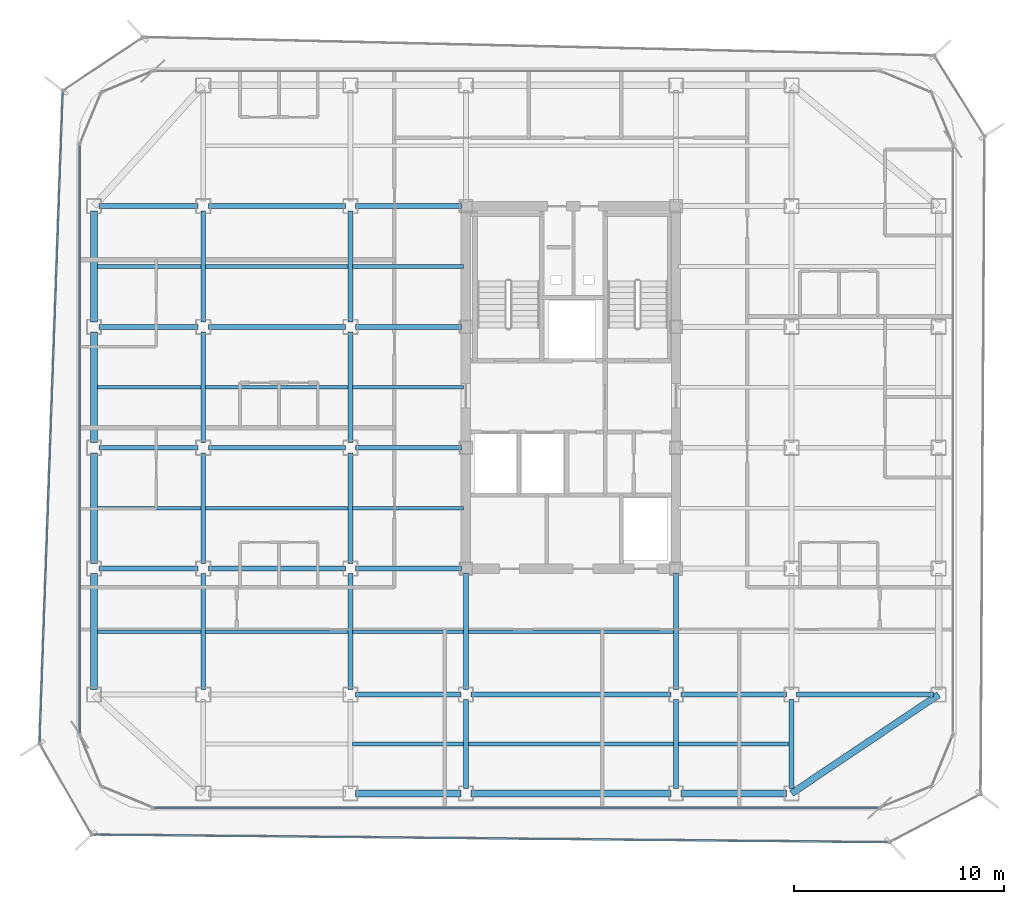
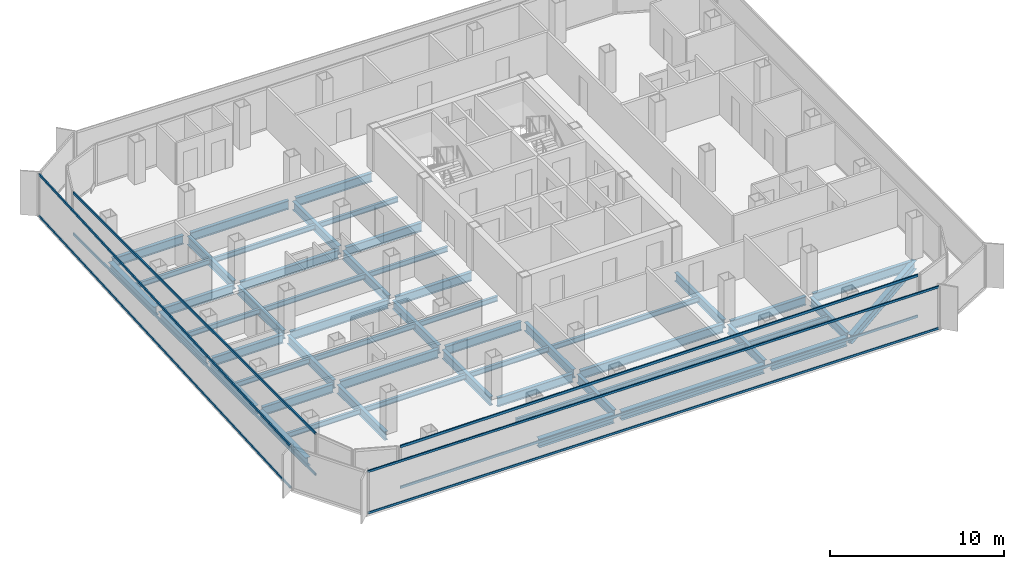
# One storey, part 3 of 15: 53 beams, 8 members, 4 elements without a shape of their own.
"""IFC4 building model written with IfcOpenShell, lengths in metres."""

from ifc_helpers import new_model, si_unit, direction, frame, origin, origin_2d, place, context, subcontext, project, spatial, hollow_rectangle, i_section, extrude, source, transform, mapped, material, layer, layer_set, material_profile, profile_set, type_object, element, aggregate, save


model = new_model("IFC4")

# Units and contexts
model_context = context("Model", 3, precision=1e-05, world=origin(), true_north=direction((0.0, 1.0)))
body_context = subcontext(model_context, "Body", "Model", "MODEL_VIEW")
ifc_project = project(units=[si_unit("LENGTHUNIT", "METRE"), si_unit("AREAUNIT", "SQUARE_METRE"), si_unit("VOLUMEUNIT", "CUBIC_METRE"), si_unit("PLANEANGLEUNIT", "RADIAN"), si_unit("MASSUNIT", "GRAM", prefix="KILO")], contexts=[model_context])

# Site, building, storey
site_placement = place(None, origin())
site = spatial("IfcSite", under=ifc_project, at=site_placement, CompositionType="ELEMENT")
building_placement = place(site_placement, origin())
building = spatial("IfcBuilding", under=site, at=building_placement, Name="Kolveth Station Tower", CompositionType="ELEMENT")
storey_placement = place(building_placement, frame((0.0, 0.0, 196.39990234375)))
storey = spatial("IfcBuildingStorey", under=building, at=storey_placement, Name="L55", CompositionType="ELEMENT", Elevation=196.39990234375)

# Beams
ifc_material_1 = material(Name="Steel S355", Category="steel")
ifc_material_profile_1 = material_profile(ifc_material_1, i_section(OverallWidth=0.323974609375, OverallDepth=0.611083984375, WebThickness=0.0126953125, FlangeThickness=0.01904296875, at=origin_2d()), Name="W610x155")
ifc_profile_set_1 = profile_set([ifc_material_profile_1], Name="Steel S355")
beam_type_1 = type_object("IfcBeamType", Name="Beam_SP2", PredefinedType="SPANDREL", material=ifc_profile_set_1)
shared_shape_1 = source(origin(), body_context, "Body", "SweptSolid", [
    extrude(i_section(OverallWidth=0.323974609375, OverallDepth=0.611083984375, WebThickness=0.0126953125, FlangeThickness=0.01904296875, at=origin_2d()), origin(), (0.0, 0.0, 1.0), 5.02001953125),
])
for number, where, z_axis, x_axis, name in (
    (1, (13.239990234375, 0.800048828125, -0.555419921875), (1.0, 0.0, 0.0), (0.0, 1.0, 0.0), "L55 Perimeter Spandrel BM-L55-PS-2"),
    (2, (28.739990234375, 0.800048828125, -0.555419921875), (1.0, 0.0, 0.0), (0.0, 1.0, 0.0), "L55 Perimeter Spandrel BM-L55-PS-4"),
):
    element("IfcBeam", number, at=place(storey_placement, frame(where, z_axis=z_axis, x_axis=x_axis)), inside=storey, type_object=beam_type_1, Name=name, PredefinedType="SPANDREL", context=body_context, shape_type="MappedRepresentation", body=[
        mapped(shared_shape_1, transform((0.0, 0.0, 0.0), x_axis=(1.0, 0.0, 0.0), y_axis=(0.0, 1.0, 0.0), z_axis=(0.0, 0.0, 1.0), scale=1.0)),
    ])
shared_shape_2 = source(origin(), body_context, "Body", "SweptSolid", [
    extrude(i_section(OverallWidth=0.323974609375, OverallDepth=0.611083984375, WebThickness=0.0126953125, FlangeThickness=0.01904296875, at=origin_2d()), origin(), (0.0, 0.0, 1.0), 9.52001953125),
])
beam_1_placement = place(storey_placement, frame((18.739990234375, 0.800048828125, -0.555419921875), z_axis=(1.0, 0.0, 0.0), x_axis=(0.0, 1.0, 0.0)))
element("IfcBeam", 3, at=beam_1_placement, inside=storey, type_object=beam_type_1, Name="L55 Perimeter Spandrel BM-L55-PS-3", PredefinedType="SPANDREL", context=body_context, shape_type="MappedRepresentation", body=[
    mapped(shared_shape_2, transform((0.0, 0.0, 0.0), x_axis=(1.0, 0.0, 0.0), y_axis=(0.0, 1.0, 0.0), z_axis=(0.0, 0.0, 1.0), scale=1.0)),
])
shared_shape_3 = source(origin(), body_context, "Body", "SweptSolid", [
    extrude(i_section(OverallWidth=0.323974609375, OverallDepth=0.611083984375, WebThickness=0.0126953125, FlangeThickness=0.01904296875, at=origin_2d()), origin(), (0.0, 0.0, 1.0), 5.52001953125),
])
beam_2_placement = place(storey_placement, frame((0.800048828125, 5.739990234375, -0.555419921875), z_axis=(0.0, 1.0, 0.0), x_axis=(-1.0, 0.0, 0.0)))
element("IfcBeam", 4, at=beam_2_placement, inside=storey, type_object=beam_type_1, Name="L55 Perimeter Spandrel BM-L55-PW-1", PredefinedType="SPANDREL", context=body_context, shape_type="MappedRepresentation", body=[
    mapped(shared_shape_3, transform((0.0, 0.0, 0.0), x_axis=(1.0, 0.0, 0.0), y_axis=(0.0, 1.0, 0.0), z_axis=(0.0, 0.0, 1.0), scale=1.0)),
])
shared_shape_4 = source(origin(), body_context, "Body", "SweptSolid", [
    extrude(i_section(OverallWidth=0.323974609375, OverallDepth=0.611083984375, WebThickness=0.0126953125, FlangeThickness=0.01904296875, at=origin_2d()), origin(), (0.0, 0.0, 1.0), 5.27001953125),
])
for number, where, z_axis, x_axis, name in (
    (5, (0.800048828125, 11.739990234375, -0.555419921875), (0.0, 1.0, 0.0), (-1.0, 0.0, 0.0), "L55 Perimeter Spandrel BM-L55-PW-2"),
    (6, (0.800048828125, 17.489990234375, -0.555419921875), (0.0, 1.0, 0.0), (-1.0, 0.0, 0.0), "L55 Perimeter Spandrel BM-L55-PW-3"),
    (7, (0.800048828125, 23.239990234375, -0.555419921875), (0.0, 1.0, 0.0), (-1.0, 0.0, 0.0), "L55 Perimeter Spandrel BM-L55-PW-4"),
):
    element("IfcBeam", number, at=place(storey_placement, frame(where, z_axis=z_axis, x_axis=x_axis)), inside=storey, type_object=beam_type_1, Name=name, PredefinedType="SPANDREL", context=body_context, shape_type="MappedRepresentation", body=[
        mapped(shared_shape_4, transform((0.0, 0.0, 0.0), x_axis=(1.0, 0.0, 0.0), y_axis=(0.0, 1.0, 0.0), z_axis=(0.0, 0.0, 1.0), scale=1.0)),
    ])
shared_shape_5 = source(origin(), body_context, "Body", "SweptSolid", [
    extrude(i_section(OverallWidth=0.323974609375, OverallDepth=0.611083984375, WebThickness=0.0126953125, FlangeThickness=0.01904296875, at=origin_2d()), origin(), (0.0, 0.0, 1.0), 8.431396484375),
])
beam_3_placement = place(storey_placement, frame((34.0, 0.800048828125, -0.555419921875), z_axis=(0.830223811004, 0.557430196206, 0.0), x_axis=(-0.557430196206, 0.830223811004, 0.0)))
element("IfcBeam", 8, at=beam_3_placement, inside=storey, type_object=beam_type_1, Name="L55 Corner Edge Girder BM-L55-CNR-SE", PredefinedType="SPANDREL", context=body_context, shape_type="MappedRepresentation", body=[
    mapped(shared_shape_5, transform((0.0, 0.0, 0.0), x_axis=(1.0, 0.0, 0.0), y_axis=(0.0, 1.0, 0.0), z_axis=(0.0, 0.0, 1.0), scale=1.0)),
])
ifc_material_profile_2 = material_profile(ifc_material_1, i_section(OverallWidth=0.22900390625, OverallDepth=0.612060546875, WebThickness=0.011962890625, FlangeThickness=0.01953125, at=origin_2d()), Name="W610x125")
ifc_profile_set_2 = profile_set([ifc_material_profile_2], Name="Steel S355")
beam_type_2 = type_object("IfcBeamType", Name="Beam_B5", PredefinedType="BEAM", material=ifc_profile_set_2)
shared_shape_6 = source(origin(), body_context, "Body", "SweptSolid", [
    extrude(i_section(OverallWidth=0.22900390625, OverallDepth=0.612060546875, WebThickness=0.011962890625, FlangeThickness=0.01953125, at=origin_2d()), origin(), (0.0, 0.0, 1.0), 4.719970703125),
])
for number, where, z_axis, x_axis, name in (
    (9, (1.0400390625, 11.5, -0.555908203125), (1.0, 0.0, 0.0), (0.0, 1.0, 0.0), "L55 Primary Girder BM-L55-GY115-1"),
    (10, (1.0400390625, 17.25, -0.555908203125), (1.0, 0.0, 0.0), (0.0, 1.0, 0.0), "L55 Primary Girder BM-L55-GY172-1"),
    (11, (1.0400390625, 23.0, -0.555908203125), (1.0, 0.0, 0.0), (0.0, 1.0, 0.0), "L55 Primary Girder BM-L55-GY230-1"),
    (12, (1.0400390625, 28.75, -0.555908203125), (1.0, 0.0, 0.0), (0.0, 1.0, 0.0), "L55 Primary Girder BM-L55-GY287-1"),
):
    element("IfcBeam", number, at=place(storey_placement, frame(where, z_axis=z_axis, x_axis=x_axis)), inside=storey, type_object=beam_type_2, Name=name, PredefinedType="BEAM", context=body_context, shape_type="MappedRepresentation", body=[
        mapped(shared_shape_6, transform((0.0, 0.0, 0.0), x_axis=(1.0, 0.0, 0.0), y_axis=(0.0, 1.0, 0.0), z_axis=(0.0, 0.0, 1.0), scale=1.0)),
    ])
shared_shape_7 = source(origin(), body_context, "Body", "SweptSolid", [
    extrude(i_section(OverallWidth=0.22900390625, OverallDepth=0.612060546875, WebThickness=0.011962890625, FlangeThickness=0.01953125, at=origin_2d()), origin(), (0.0, 0.0, 1.0), 6.52001953125),
])
for number, where, z_axis, x_axis, name in (
    (13, (34.239990234375, 5.5, -0.555908203125), (1.0, 0.0, 0.0), (0.0, 1.0, 0.0), "L55 Primary Girder BM-L55-GY55-6"),
    (14, (6.239990234375, 11.5, -0.555908203125), (1.0, 0.0, 0.0), (0.0, 1.0, 0.0), "L55 Primary Girder BM-L55-GY115-2"),
    (15, (6.239990234375, 17.25, -0.555908203125), (1.0, 0.0, 0.0), (0.0, 1.0, 0.0), "L55 Primary Girder BM-L55-GY172-2"),
    (16, (6.239990234375, 23.0, -0.555908203125), (1.0, 0.0, 0.0), (0.0, 1.0, 0.0), "L55 Primary Girder BM-L55-GY230-2"),
    (17, (6.239990234375, 28.75, -0.555908203125), (1.0, 0.0, 0.0), (0.0, 1.0, 0.0), "L55 Primary Girder BM-L55-GY287-2"),
):
    element("IfcBeam", number, at=place(storey_placement, frame(where, z_axis=z_axis, x_axis=x_axis)), inside=storey, type_object=beam_type_2, Name=name, PredefinedType="BEAM", context=body_context, shape_type="MappedRepresentation", body=[
        mapped(shared_shape_7, transform((0.0, 0.0, 0.0), x_axis=(1.0, 0.0, 0.0), y_axis=(0.0, 1.0, 0.0), z_axis=(0.0, 0.0, 1.0), scale=1.0)),
    ])
shared_shape_8 = source(origin(), body_context, "Body", "SweptSolid", [
    extrude(i_section(OverallWidth=0.22900390625, OverallDepth=0.612060546875, WebThickness=0.011962890625, FlangeThickness=0.01953125, at=origin_2d()), origin(), (0.0, 0.0, 1.0), 5.02001953125),
])
for number, where, z_axis, x_axis, name in (
    (18, (13.239990234375, 5.5, -0.555908203125), (1.0, 0.0, 0.0), (0.0, 1.0, 0.0), "L55 Primary Girder BM-L55-GY55-3"),
    (19, (28.739990234375, 5.5, -0.555908203125), (1.0, 0.0, 0.0), (0.0, 1.0, 0.0), "L55 Primary Girder BM-L55-GY55-5"),
):
    element("IfcBeam", number, at=place(storey_placement, frame(where, z_axis=z_axis, x_axis=x_axis)), inside=storey, type_object=beam_type_2, Name=name, PredefinedType="BEAM", context=body_context, shape_type="MappedRepresentation", body=[
        mapped(shared_shape_8, transform((0.0, 0.0, 0.0), x_axis=(1.0, 0.0, 0.0), y_axis=(0.0, 1.0, 0.0), z_axis=(0.0, 0.0, 1.0), scale=1.0)),
    ])
shared_shape_9 = source(origin(), body_context, "Body", "SweptSolid", [
    extrude(i_section(OverallWidth=0.22900390625, OverallDepth=0.612060546875, WebThickness=0.011962890625, FlangeThickness=0.01953125, at=origin_2d()), origin(), (0.0, 0.0, 1.0), 9.52001953125),
])
beam_4_placement = place(storey_placement, frame((18.739990234375, 5.5, -0.555908203125), z_axis=(1.0, 0.0, 0.0), x_axis=(0.0, 1.0, 0.0)))
element("IfcBeam", 20, at=beam_4_placement, inside=storey, type_object=beam_type_2, Name="L55 Primary Girder BM-L55-GY55-4", PredefinedType="BEAM", context=body_context, shape_type="MappedRepresentation", body=[
    mapped(shared_shape_9, transform((0.0, 0.0, 0.0), x_axis=(1.0, 0.0, 0.0), y_axis=(0.0, 1.0, 0.0), z_axis=(0.0, 0.0, 1.0), scale=1.0)),
])
shared_shape_10 = source(origin(), body_context, "Body", "SweptSolid", [
    extrude(i_section(OverallWidth=0.22900390625, OverallDepth=0.612060546875, WebThickness=0.011962890625, FlangeThickness=0.01953125, at=origin_2d()), origin(), (0.0, 0.0, 1.0), 5.06005859375),
])
for number, where, z_axis, x_axis, name in (
    (21, (13.239990234375, 11.5, -0.555908203125), (1.0, 0.0, 0.0), (0.0, 1.0, 0.0), "L55 Primary Girder BM-L55-GY115-3"),
    (22, (13.239990234375, 17.25, -0.555908203125), (1.0, 0.0, 0.0), (0.0, 1.0, 0.0), "L55 Primary Girder BM-L55-GY172-3"),
    (23, (13.239990234375, 23.0, -0.555908203125), (1.0, 0.0, 0.0), (0.0, 1.0, 0.0), "L55 Primary Girder BM-L55-GY230-3"),
    (24, (13.239990234375, 28.75, -0.555908203125), (1.0, 0.0, 0.0), (0.0, 1.0, 0.0), "L55 Primary Girder BM-L55-GY287-3"),
):
    element("IfcBeam", number, at=place(storey_placement, frame(where, z_axis=z_axis, x_axis=x_axis)), inside=storey, type_object=beam_type_2, Name=name, PredefinedType="BEAM", context=body_context, shape_type="MappedRepresentation", body=[
        mapped(shared_shape_10, transform((0.0, 0.0, 0.0), x_axis=(1.0, 0.0, 0.0), y_axis=(0.0, 1.0, 0.0), z_axis=(0.0, 0.0, 1.0), scale=1.0)),
    ])
shared_shape_11 = source(origin(), body_context, "Body", "SweptSolid", [
    extrude(i_section(OverallWidth=0.22900390625, OverallDepth=0.612060546875, WebThickness=0.011962890625, FlangeThickness=0.01953125, at=origin_2d()), origin(), (0.0, 0.0, 1.0), 4.219970703125),
])
for number, where, z_axis, x_axis, name in (
    (25, (18.5, 1.0400390625, -0.555908203125), (0.0, 1.0, 0.0), (-1.0, 0.0, 0.0), "L55 Primary Girder BM-L55-GX185-1"),
    (26, (28.5, 1.0400390625, -0.555908203125), (0.0, 1.0, 0.0), (-1.0, 0.0, 0.0), "L55 Primary Girder BM-L55-GX285-1"),
    (27, (34.0, 1.0400390625, -0.555908203125), (0.0, 1.0, 0.0), (-1.0, 0.0, 0.0), "L55 Primary Girder BM-L55-GX340-1"),
):
    element("IfcBeam", number, at=place(storey_placement, frame(where, z_axis=z_axis, x_axis=x_axis)), inside=storey, type_object=beam_type_2, Name=name, PredefinedType="BEAM", context=body_context, shape_type="MappedRepresentation", body=[
        mapped(shared_shape_11, transform((0.0, 0.0, 0.0), x_axis=(1.0, 0.0, 0.0), y_axis=(0.0, 1.0, 0.0), z_axis=(0.0, 0.0, 1.0), scale=1.0)),
    ])
shared_shape_12 = source(origin(), body_context, "Body", "SweptSolid", [
    extrude(i_section(OverallWidth=0.22900390625, OverallDepth=0.612060546875, WebThickness=0.011962890625, FlangeThickness=0.01953125, at=origin_2d()), origin(), (0.0, 0.0, 1.0), 5.52001953125),
])
for number, where, z_axis, x_axis, name in (
    (28, (6.0, 5.739990234375, -0.555908203125), (0.0, 1.0, 0.0), (-1.0, 0.0, 0.0), "L55 Primary Girder BM-L55-GX60-2"),
    (29, (13.0, 5.739990234375, -0.555908203125), (0.0, 1.0, 0.0), (-1.0, 0.0, 0.0), "L55 Primary Girder BM-L55-GX130-2"),
):
    element("IfcBeam", number, at=place(storey_placement, frame(where, z_axis=z_axis, x_axis=x_axis)), inside=storey, type_object=beam_type_2, Name=name, PredefinedType="BEAM", context=body_context, shape_type="MappedRepresentation", body=[
        mapped(shared_shape_12, transform((0.0, 0.0, 0.0), x_axis=(1.0, 0.0, 0.0), y_axis=(0.0, 1.0, 0.0), z_axis=(0.0, 0.0, 1.0), scale=1.0)),
    ])
shared_shape_13 = source(origin(), body_context, "Body", "SweptSolid", [
    extrude(i_section(OverallWidth=0.22900390625, OverallDepth=0.612060546875, WebThickness=0.011962890625, FlangeThickness=0.01953125, at=origin_2d()), origin(), (0.0, 0.0, 1.0), 5.27001953125),
])
for number, where, z_axis, x_axis, name in (
    (30, (6.0, 11.739990234375, -0.555908203125), (0.0, 1.0, 0.0), (-1.0, 0.0, 0.0), "L55 Primary Girder BM-L55-GX60-3"),
    (31, (6.0, 17.489990234375, -0.555908203125), (0.0, 1.0, 0.0), (-1.0, 0.0, 0.0), "L55 Primary Girder BM-L55-GX60-4"),
    (32, (6.0, 23.239990234375, -0.555908203125), (0.0, 1.0, 0.0), (-1.0, 0.0, 0.0), "L55 Primary Girder BM-L55-GX60-5"),
    (33, (13.0, 11.739990234375, -0.555908203125), (0.0, 1.0, 0.0), (-1.0, 0.0, 0.0), "L55 Primary Girder BM-L55-GX130-3"),
    (34, (13.0, 17.489990234375, -0.555908203125), (0.0, 1.0, 0.0), (-1.0, 0.0, 0.0), "L55 Primary Girder BM-L55-GX130-4"),
    (35, (13.0, 23.239990234375, -0.555908203125), (0.0, 1.0, 0.0), (-1.0, 0.0, 0.0), "L55 Primary Girder BM-L55-GX130-5"),
):
    element("IfcBeam", number, at=place(storey_placement, frame(where, z_axis=z_axis, x_axis=x_axis)), inside=storey, type_object=beam_type_2, Name=name, PredefinedType="BEAM", context=body_context, shape_type="MappedRepresentation", body=[
        mapped(shared_shape_13, transform((0.0, 0.0, 0.0), x_axis=(1.0, 0.0, 0.0), y_axis=(0.0, 1.0, 0.0), z_axis=(0.0, 0.0, 1.0), scale=1.0)),
    ])
shared_shape_14 = source(origin(), body_context, "Body", "SweptSolid", [
    extrude(i_section(OverallWidth=0.22900390625, OverallDepth=0.612060546875, WebThickness=0.011962890625, FlangeThickness=0.01953125, at=origin_2d()), origin(), (0.0, 0.0, 1.0), 5.56005859375),
])
for number, where, z_axis, x_axis, name in (
    (36, (18.5, 5.739990234375, -0.555908203125), (0.0, 1.0, 0.0), (-1.0, 0.0, 0.0), "L55 Primary Girder BM-L55-GX185-2"),
    (37, (28.5, 5.739990234375, -0.555908203125), (0.0, 1.0, 0.0), (-1.0, 0.0, 0.0), "L55 Primary Girder BM-L55-GX285-2"),
):
    element("IfcBeam", number, at=place(storey_placement, frame(where, z_axis=z_axis, x_axis=x_axis)), inside=storey, type_object=beam_type_2, Name=name, PredefinedType="BEAM", context=body_context, shape_type="MappedRepresentation", body=[
        mapped(shared_shape_14, transform((0.0, 0.0, 0.0), x_axis=(1.0, 0.0, 0.0), y_axis=(0.0, 1.0, 0.0), z_axis=(0.0, 0.0, 1.0), scale=1.0)),
    ])
ifc_material_profile_3 = material_profile(ifc_material_1, i_section(OverallWidth=0.1708984375, OverallDepth=0.35205078125, WebThickness=0.0068359375, FlangeThickness=0.009765625, at=origin_2d()), Name="W360x44")
ifc_profile_set_3 = profile_set([ifc_material_profile_3], Name="Steel S355")
beam_type_3 = type_object("IfcBeamType", Name="Beam_J2", PredefinedType="JOIST", material=ifc_profile_set_3)
shared_shape_15 = source(origin(), body_context, "Body", "SweptSolid", [
    extrude(i_section(OverallWidth=0.1708984375, OverallDepth=0.35205078125, WebThickness=0.0068359375, FlangeThickness=0.009765625, at=origin_2d()), origin(), (0.0, 0.0, 1.0), 4.927490234375),
])
for number, where, z_axis, x_axis, name in (
    (38, (0.9599609375, 8.5, -0.42578125), (1.0, 0.0, 0.0), (0.0, 1.0, 0.0), "L55 Secondary Joist JST-L55-1-2"),
    (39, (0.9599609375, 14.375, -0.42578125), (1.0, 0.0, 0.0), (0.0, 1.0, 0.0), "L55 Secondary Joist JST-L55-1-3"),
    (40, (0.9599609375, 20.125, -0.42578125), (1.0, 0.0, 0.0), (0.0, 1.0, 0.0), "L55 Secondary Joist JST-L55-1-4"),
    (41, (0.9599609375, 25.875, -0.42578125), (1.0, 0.0, 0.0), (0.0, 1.0, 0.0), "L55 Secondary Joist JST-L55-1-5"),
):
    element("IfcBeam", number, at=place(storey_placement, frame(where, z_axis=z_axis, x_axis=x_axis)), inside=storey, type_object=beam_type_3, Name=name, PredefinedType="JOIST", context=body_context, shape_type="MappedRepresentation", body=[
        mapped(shared_shape_15, transform((0.0, 0.0, 0.0), x_axis=(1.0, 0.0, 0.0), y_axis=(0.0, 1.0, 0.0), z_axis=(0.0, 0.0, 1.0), scale=1.0)),
    ])
shared_shape_16 = source(origin(), body_context, "Body", "SweptSolid", [
    extrude(i_section(OverallWidth=0.1708984375, OverallDepth=0.35205078125, WebThickness=0.0068359375, FlangeThickness=0.009765625, at=origin_2d()), origin(), (0.0, 0.0, 1.0), 6.77490234375),
])
for number, where, z_axis, x_axis, name in (
    (42, (6.112548828125, 8.5, -0.42578125), (1.0, 0.0, 0.0), (0.0, 1.0, 0.0), "L55 Secondary Joist JST-L55-2-2"),
    (43, (6.112548828125, 14.375, -0.42578125), (1.0, 0.0, 0.0), (0.0, 1.0, 0.0), "L55 Secondary Joist JST-L55-2-3"),
    (44, (6.112548828125, 20.125, -0.42578125), (1.0, 0.0, 0.0), (0.0, 1.0, 0.0), "L55 Secondary Joist JST-L55-2-4"),
    (45, (6.112548828125, 25.875, -0.42578125), (1.0, 0.0, 0.0), (0.0, 1.0, 0.0), "L55 Secondary Joist JST-L55-2-5"),
):
    element("IfcBeam", number, at=place(storey_placement, frame(where, z_axis=z_axis, x_axis=x_axis)), inside=storey, type_object=beam_type_3, Name=name, PredefinedType="JOIST", context=body_context, shape_type="MappedRepresentation", body=[
        mapped(shared_shape_16, transform((0.0, 0.0, 0.0), x_axis=(1.0, 0.0, 0.0), y_axis=(0.0, 1.0, 0.0), z_axis=(0.0, 0.0, 1.0), scale=1.0)),
    ])
shared_shape_17 = source(origin(), body_context, "Body", "SweptSolid", [
    extrude(i_section(OverallWidth=0.1708984375, OverallDepth=0.35205078125, WebThickness=0.0068359375, FlangeThickness=0.009765625, at=origin_2d()), origin(), (0.0, 0.0, 1.0), 5.27490234375),
])
for number, where, z_axis, x_axis, name in (
    (46, (13.112548828125, 3.14990234375, -0.42578125), (1.0, 0.0, 0.0), (0.0, 1.0, 0.0), "L55 Secondary Joist JST-L55-3-1"),
    (47, (13.112548828125, 8.5, -0.42578125), (1.0, 0.0, 0.0), (0.0, 1.0, 0.0), "L55 Secondary Joist JST-L55-3-2"),
    (48, (13.112548828125, 14.375, -0.42578125), (1.0, 0.0, 0.0), (0.0, 1.0, 0.0), "L55 Secondary Joist JST-L55-3-3"),
    (49, (13.112548828125, 20.125, -0.42578125), (1.0, 0.0, 0.0), (0.0, 1.0, 0.0), "L55 Secondary Joist JST-L55-3-4"),
    (50, (13.112548828125, 25.875, -0.42578125), (1.0, 0.0, 0.0), (0.0, 1.0, 0.0), "L55 Secondary Joist JST-L55-3-5"),
    (51, (28.612548828125, 3.14990234375, -0.42578125), (1.0, 0.0, 0.0), (0.0, 1.0, 0.0), "L55 Secondary Joist JST-L55-5-1"),
):
    element("IfcBeam", number, at=place(storey_placement, frame(where, z_axis=z_axis, x_axis=x_axis)), inside=storey, type_object=beam_type_3, Name=name, PredefinedType="JOIST", context=body_context, shape_type="MappedRepresentation", body=[
        mapped(shared_shape_17, transform((0.0, 0.0, 0.0), x_axis=(1.0, 0.0, 0.0), y_axis=(0.0, 1.0, 0.0), z_axis=(0.0, 0.0, 1.0), scale=1.0)),
    ])
shared_shape_18 = source(origin(), body_context, "Body", "SweptSolid", [
    extrude(i_section(OverallWidth=0.1708984375, OverallDepth=0.35205078125, WebThickness=0.0068359375, FlangeThickness=0.009765625, at=origin_2d()), origin(), (0.0, 0.0, 1.0), 9.77490234375),
])
for number, where, z_axis, x_axis, name in (
    (52, (18.612548828125, 3.14990234375, -0.42578125), (1.0, 0.0, 0.0), (0.0, 1.0, 0.0), "L55 Secondary Joist JST-L55-4-1"),
    (53, (18.612548828125, 8.5, -0.42578125), (1.0, 0.0, 0.0), (0.0, 1.0, 0.0), "L55 Secondary Joist JST-L55-4-2"),
):
    element("IfcBeam", number, at=place(storey_placement, frame(where, z_axis=z_axis, x_axis=x_axis)), inside=storey, type_object=beam_type_3, Name=name, PredefinedType="JOIST", context=body_context, shape_type="MappedRepresentation", body=[
        mapped(shared_shape_18, transform((0.0, 0.0, 0.0), x_axis=(1.0, 0.0, 0.0), y_axis=(0.0, 1.0, 0.0), z_axis=(0.0, 0.0, 1.0), scale=1.0)),
    ])

# Curtain wall, members
ifc_material_2 = material(Name="Aluminium 6063-T6 and low-E dark glass", Category="aluminium")
ifc_layer_1 = layer(ifc_material_2, 0.18994140625)
ifc_layer_set_1 = layer_set([ifc_layer_1], Name="Aluminium 6063-T6 and low-E dark glass")
curtain_wall_type_1 = type_object("IfcCurtainWallType", Name="CurtainWall_CW-Z2", PredefinedType="NOTDEFINED", material=ifc_layer_set_1)
curtain_wall_1_placement = place(storey_placement, origin())
curtain_wall_1 = element("IfcCurtainWall", 54, at=curtain_wall_1_placement, inside=storey, type_object=curtain_wall_type_1, Name="L55 Inner Thermal Curtain Wall 9", PredefinedType="NOTDEFINED")
ifc_material_3 = material(Name="Black anodized aluminium 6063-T6", Category="aluminium")
ifc_material_profile_4 = material_profile(ifc_material_3, hollow_rectangle(XDim=0.080078125, YDim=0.169921875, WallThickness=0.0048828125, at=origin_2d()), Name="ALU-80x170x5")
ifc_profile_set_4 = profile_set([ifc_material_profile_4], Name="Black anodized aluminium 6063-T6")
member_type_1 = type_object("IfcMemberType", Name="Transom_TR2", PredefinedType="USERDEFINED", material=ifc_profile_set_4)
shared_shape_19 = source(origin(), body_context, "Body", "SweptSolid", [
    extrude(hollow_rectangle(XDim=0.080078125, YDim=0.169921875, WallThickness=0.0048828125, at=origin_2d()), origin(), (0.0, 0.0, 1.0), 27.940185546875),
])
member_1_placement = place(storey_placement, frame((0.1201171875, 31.6201171875, 0.0400390625), z_axis=(0.0, -1.0, 0.0), x_axis=(1.0, 0.0, 0.0)))
member_1 = element("IfcMember", 55, at=member_1_placement, type_object=member_type_1, Name="CW-Z2 transom 1.1", ObjectType="TRANSOM", PredefinedType="USERDEFINED", context=body_context, shape_type="MappedRepresentation", body=[
    mapped(shared_shape_19, transform((0.0, 0.0, 0.0), x_axis=(1.0, 0.0, 0.0), y_axis=(0.0, 1.0, 0.0), z_axis=(0.0, 0.0, 1.0), scale=1.0)),
])
member_2_placement = place(storey_placement, frame((0.1201171875, 31.6201171875, 2.91015625), z_axis=(0.0, -1.0, 0.0), x_axis=(1.0, 0.0, 0.0)))
member_2 = element("IfcMember", 56, at=member_2_placement, type_object=member_type_1, Name="CW-Z2 transom 1.2", ObjectType="TRANSOM", PredefinedType="USERDEFINED", context=body_context, shape_type="MappedRepresentation", body=[
    mapped(shared_shape_19, transform((0.0, 0.0, 0.0), x_axis=(1.0, 0.0, 0.0), y_axis=(0.0, 1.0, 0.0), z_axis=(0.0, 0.0, 1.0), scale=1.0)),
])
aggregate(curtain_wall_1, [member_1, member_2])

curtain_wall_2_placement = place(storey_placement, origin())
curtain_wall_2 = element("IfcCurtainWall", 57, at=curtain_wall_2_placement, inside=storey, type_object=curtain_wall_type_1, Name="L55 Inner Thermal Curtain Wall 12", PredefinedType="NOTDEFINED")
shared_shape_20 = source(origin(), body_context, "Body", "SweptSolid", [
    extrude(hollow_rectangle(XDim=0.080078125, YDim=0.169921875, WallThickness=0.0048828125, at=origin_2d()), origin(), (0.0, 0.0, 1.0), 34.440185546875),
])
member_3_placement = place(storey_placement, frame((3.679931640625, 0.1201171875, 0.0400390625), z_axis=(1.0, 0.0, 0.0), x_axis=(0.0, 1.0, 0.0)))
member_3 = element("IfcMember", 58, at=member_3_placement, type_object=member_type_1, Name="CW-Z2 transom 1.1", ObjectType="TRANSOM", PredefinedType="USERDEFINED", context=body_context, shape_type="MappedRepresentation", body=[
    mapped(shared_shape_20, transform((0.0, 0.0, 0.0), x_axis=(1.0, 0.0, 0.0), y_axis=(0.0, 1.0, 0.0), z_axis=(0.0, 0.0, 1.0), scale=1.0)),
])
member_4_placement = place(storey_placement, frame((3.679931640625, 0.1201171875, 2.91015625), z_axis=(1.0, 0.0, 0.0), x_axis=(0.0, 1.0, 0.0)))
member_4 = element("IfcMember", 59, at=member_4_placement, type_object=member_type_1, Name="CW-Z2 transom 1.2", ObjectType="TRANSOM", PredefinedType="USERDEFINED", context=body_context, shape_type="MappedRepresentation", body=[
    mapped(shared_shape_20, transform((0.0, 0.0, 0.0), x_axis=(1.0, 0.0, 0.0), y_axis=(0.0, 1.0, 0.0), z_axis=(0.0, 0.0, 1.0), scale=1.0)),
])
aggregate(curtain_wall_2, [member_3, member_4])

ifc_material_4 = material(Name="Black anodized aluminium 6063-T6 and dark solar glass", Category="aluminium")
ifc_layer_2 = layer(ifc_material_4, 0.159912109375)
ifc_layer_set_2 = layer_set([ifc_layer_2], Name="Black anodized aluminium 6063-T6 and dark solar glass")
curtain_wall_type_2 = type_object("IfcCurtainWallType", Name="OUTER SKIN CW-OS", PredefinedType="NOTDEFINED", material=ifc_layer_set_2)
curtain_wall_3_placement = place(storey_placement, origin())
curtain_wall_3 = element("IfcCurtainWall", 60, at=curtain_wall_3_placement, inside=storey, type_object=curtain_wall_type_2, Name="L55 Outer Ventilated Skin Curtain Wall 6", PredefinedType="NOTDEFINED")
ifc_material_profile_5 = material_profile(ifc_material_3, hollow_rectangle(XDim=0.080078125, YDim=0.14990234375, WallThickness=0.0048828125, at=origin_2d()), Name="ALU-80x150x5")
ifc_profile_set_5 = profile_set([ifc_material_profile_5], Name="Black anodized aluminium 6063-T6")
member_type_2 = type_object("IfcMemberType", Name="Transom_TR-OS", PredefinedType="USERDEFINED", material=ifc_profile_set_5)
shared_shape_21 = source(origin(), body_context, "Body", "SweptSolid", [
    extrude(hollow_rectangle(XDim=0.080078125, YDim=0.14990234375, WallThickness=0.0048828125, at=origin_2d()), origin(), (0.0, 0.0, 1.0), 30.9091796875),
])
member_5_placement = place(storey_placement, frame((-0.6865234375, 34.1513671875, 0.0400390625), z_axis=(-0.035678288919, -0.999363327174, 0.0), x_axis=(0.999363327174, -0.035678288919, 0.0)))
member_5 = element("IfcMember", 61, at=member_5_placement, type_object=member_type_2, Name="CW-OS transom 1.1", ObjectType="TRANSOM", PredefinedType="USERDEFINED", context=body_context, shape_type="MappedRepresentation", body=[
    mapped(shared_shape_21, transform((0.0, 0.0, 0.0), x_axis=(1.0, 0.0, 0.0), y_axis=(0.0, 1.0, 0.0), z_axis=(0.0, 0.0, 1.0), scale=1.0)),
])
member_6_placement = place(storey_placement, frame((-0.6865234375, 34.1513671875, 2.9501953125), z_axis=(-0.035678288919, -0.999363327174, 0.0), x_axis=(0.999363327174, -0.035678288919, 0.0)))
member_6 = element("IfcMember", 62, at=member_6_placement, type_object=member_type_2, Name="CW-OS transom 1.2", ObjectType="TRANSOM", PredefinedType="USERDEFINED", context=body_context, shape_type="MappedRepresentation", body=[
    mapped(shared_shape_21, transform((0.0, 0.0, 0.0), x_axis=(1.0, 0.0, 0.0), y_axis=(0.0, 1.0, 0.0), z_axis=(0.0, 0.0, 1.0), scale=1.0)),
])
aggregate(curtain_wall_3, [member_5, member_6])

curtain_wall_4_placement = place(storey_placement, origin())
curtain_wall_4 = element("IfcCurtainWall", 63, at=curtain_wall_4_placement, inside=storey, type_object=curtain_wall_type_2, Name="L55 Outer Ventilated Skin Curtain Wall 8", PredefinedType="NOTDEFINED")
shared_shape_22 = source(origin(), body_context, "Body", "SweptSolid", [
    extrude(hollow_rectangle(XDim=0.080078125, YDim=0.14990234375, WallThickness=0.0048828125, at=origin_2d()), origin(), (0.0, 0.0, 1.0), 37.787109375),
])
member_7_placement = place(storey_placement, frame((0.787841796875, -1.163818359375, 0.0400390625), z_axis=(0.999954219309, -0.009568661675, 0.0), x_axis=(0.009568661675, 0.999954219309, 0.0)))
member_7 = element("IfcMember", 64, at=member_7_placement, type_object=member_type_2, Name="CW-OS transom 1.1", ObjectType="TRANSOM", PredefinedType="USERDEFINED", context=body_context, shape_type="MappedRepresentation", body=[
    mapped(shared_shape_22, transform((0.0, 0.0, 0.0), x_axis=(1.0, 0.0, 0.0), y_axis=(0.0, 1.0, 0.0), z_axis=(0.0, 0.0, 1.0), scale=1.0)),
])
member_8_placement = place(storey_placement, frame((0.787841796875, -1.163818359375, 2.9501953125), z_axis=(0.999954219309, -0.009568661675, 0.0), x_axis=(0.009568661675, 0.999954219309, 0.0)))
member_8 = element("IfcMember", 65, at=member_8_placement, type_object=member_type_2, Name="CW-OS transom 1.2", ObjectType="TRANSOM", PredefinedType="USERDEFINED", context=body_context, shape_type="MappedRepresentation", body=[
    mapped(shared_shape_22, transform((0.0, 0.0, 0.0), x_axis=(1.0, 0.0, 0.0), y_axis=(0.0, 1.0, 0.0), z_axis=(0.0, 0.0, 1.0), scale=1.0)),
])
aggregate(curtain_wall_4, [member_7, member_8])

save(model, "model.ifc")
